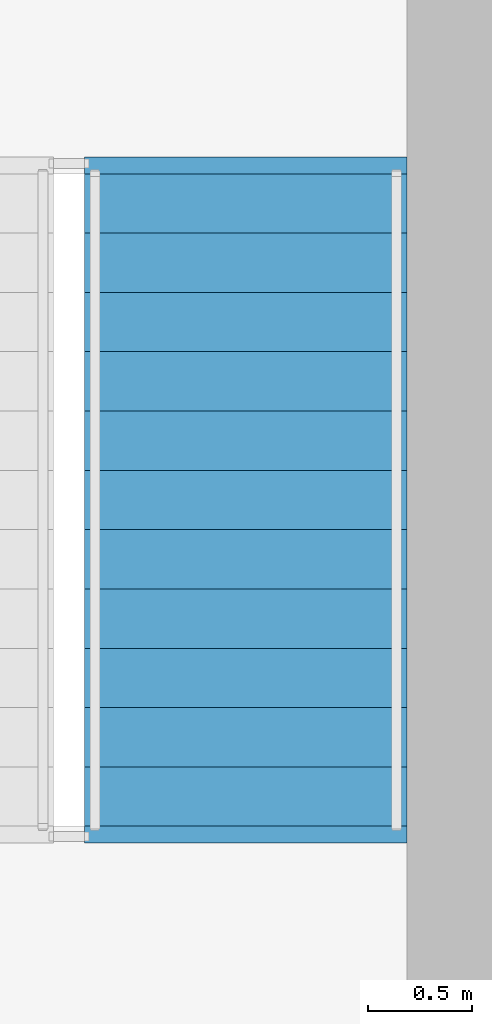
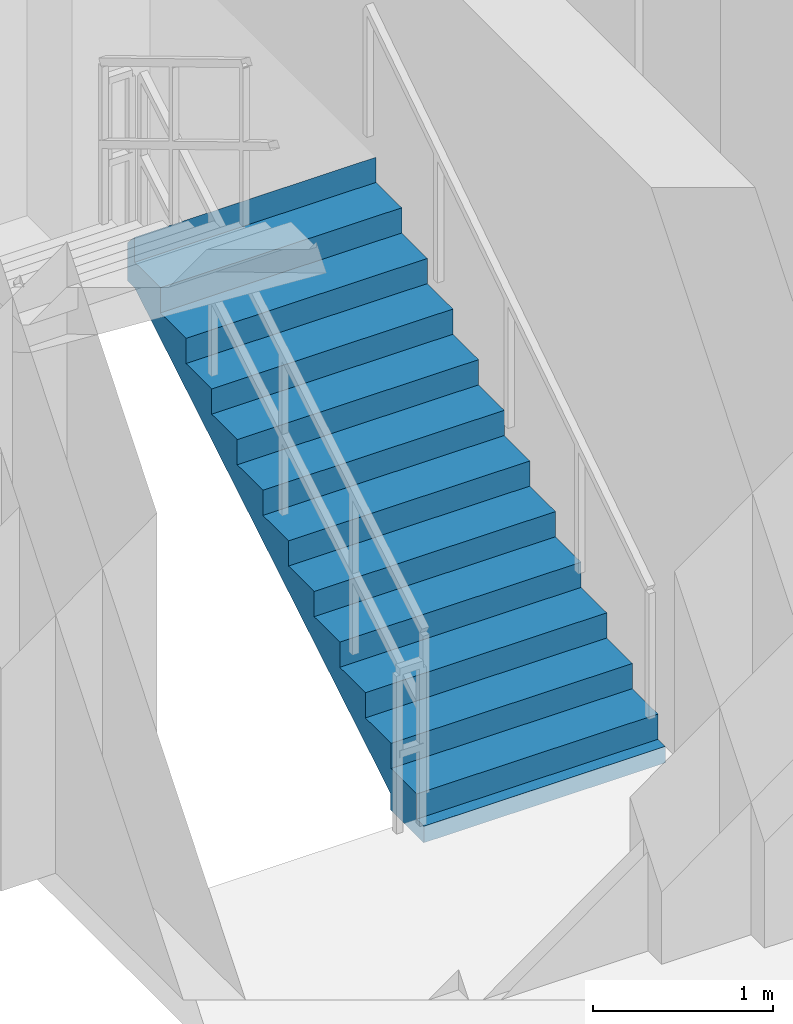
# One storey, part 7 of 10: 1 stair flight, 1 element without a shape of its own.
"""IFC4 building model written with IfcOpenShell, lengths in metres."""

from ifc_helpers import new_model, si_unit, direction, frame, origin, place, context, subcontext, project, spatial, polyline, outline, extrude, material, type_object, element, aggregate, save


model = new_model("IFC4")

# Units and contexts
model_context = context("Model", 3, precision=1e-05, world=origin(), true_north=direction((0.0, 1.0)))
body_context = subcontext(model_context, "Body", "Model", "MODEL_VIEW")
ifc_project = project(units=[si_unit("LENGTHUNIT", "METRE"), si_unit("AREAUNIT", "SQUARE_METRE"), si_unit("VOLUMEUNIT", "CUBIC_METRE"), si_unit("PLANEANGLEUNIT", "RADIAN"), si_unit("MASSUNIT", "GRAM", prefix="KILO")], contexts=[model_context])

# Site, building, storey
site_placement = place(None, origin())
site = spatial("IfcSite", under=ifc_project, at=site_placement, CompositionType="ELEMENT")
building_placement = place(site_placement, origin())
building = spatial("IfcBuilding", under=site, at=building_placement, Name="Apsidion Concourse Tower", CompositionType="ELEMENT")
storey_placement = place(building_placement, frame((0.0, 0.0, 290.10009765625)))
storey = spatial("IfcBuildingStorey", under=building, at=storey_placement, Name="L68", CompositionType="ELEMENT", Elevation=290.10009765625)

# Stair, stair flight
ifc_material = material(Name="Precast concrete C40/50", Category="concrete")
stair_type = type_object("IfcStairType", Name="ST-DL-1550", PredefinedType="HALF_TURN_STAIR", material=ifc_material)
stair_placement = place(storey_placement, origin())
stair = element("IfcStair", 1, at=stair_placement, inside=storey, type_object=stair_type, Name="L68 Protected Core Exit Stair ST2", PredefinedType="HALF_TURN_STAIR")
stair_flight_type = type_object("IfcStairFlightType", Name="SFL-RC-1550", PredefinedType="STRAIGHT", material=ifc_material)
stair_flight_placement = place(storey_placement, frame((6.425048828125, 3.0, 0.0), z_axis=(0.0, 0.0, 1.0), x_axis=(0.0, 1.0, 0.0)))
stair_flight = element("IfcStairFlight", 2, at=stair_flight_placement, type_object=stair_flight_type, Name="ST2 flight 1", NumberOfRisers=12, NumberOfTreads=11, PredefinedType="STRAIGHT", RiserHeight=0.170833333, TreadLength=0.285, context=body_context, shape_type="SweptSolid", body=[
    extrude(outline(polyline([(-0.080078125, -0.1123046875), (-0.080078125, 0.0), (0.0, 0.0), (0.0, 0.1708984375), (0.284912109375, 0.1708984375), (0.284912109375, 0.341552734375), (0.570068359375, 0.341552734375), (0.570068359375, 0.512451171875), (0.85498046875, 0.512451171875), (0.85498046875, 0.683349609375), (1.139892578125, 0.683349609375), (1.139892578125, 0.854248046875), (1.425048828125, 0.854248046875), (1.425048828125, 1.02490234375), (1.7099609375, 1.02490234375), (1.7099609375, 1.19580078125), (1.9951171875, 1.19580078125), (1.9951171875, 1.36669921875), (2.280029296875, 1.36669921875), (2.280029296875, 1.53759765625), (2.56494140625, 1.53759765625), (2.56494140625, 1.708251953125), (2.85009765625, 1.708251953125), (2.85009765625, 1.879150390625), (3.135009765625, 1.879150390625), (3.135009765625, 2.050048828125), (3.215087890625, 1.964599609375), (3.215087890625, 1.704345703125), (3.135009765625, 1.704345703125), (0.29150390625, 0.0), (0.29150390625, -0.1123046875), (-0.080078125, -0.1123046875)])), frame((0.0, 0.77490234375, 0.0), z_axis=(0.0, -1.0, 0.0), x_axis=(1.0, 0.0, 0.0)), (0.0, 0.0, 1.0), 1.550048828125),
])
aggregate(stair, [stair_flight])

save(model, "model.ifc")
